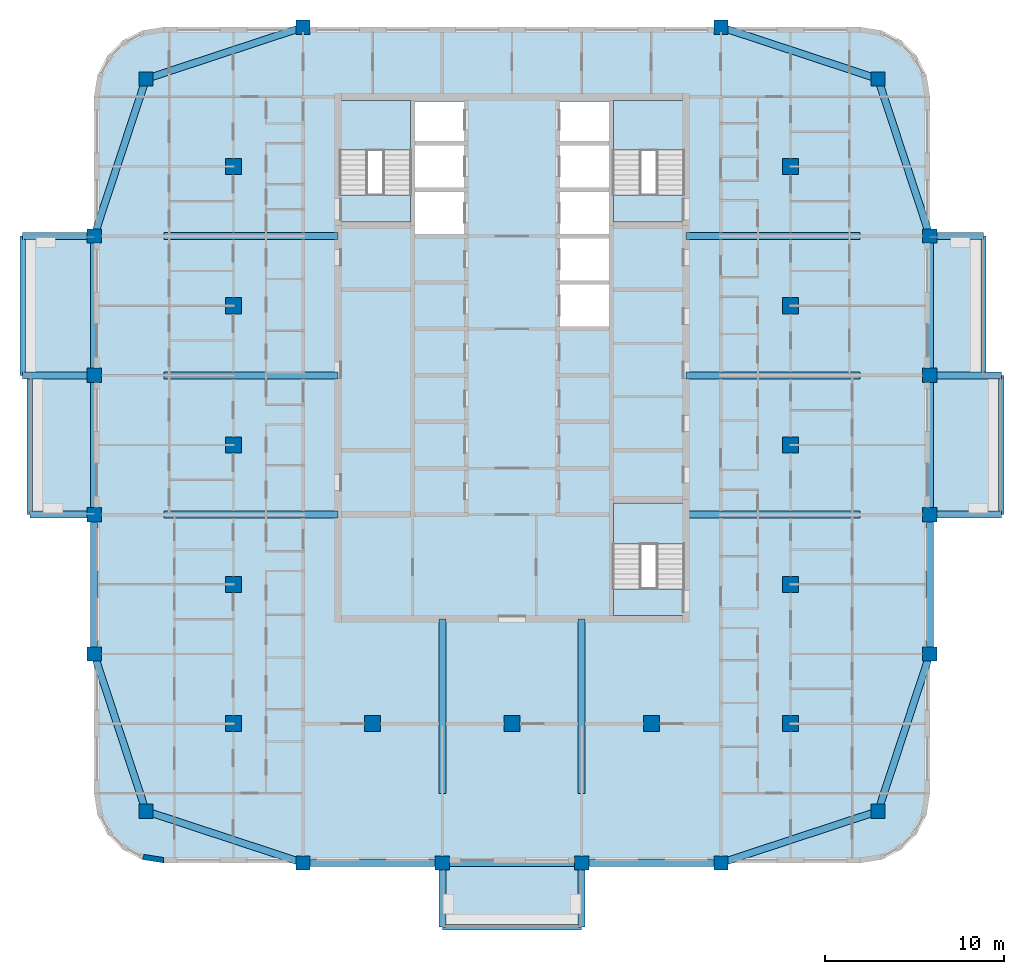
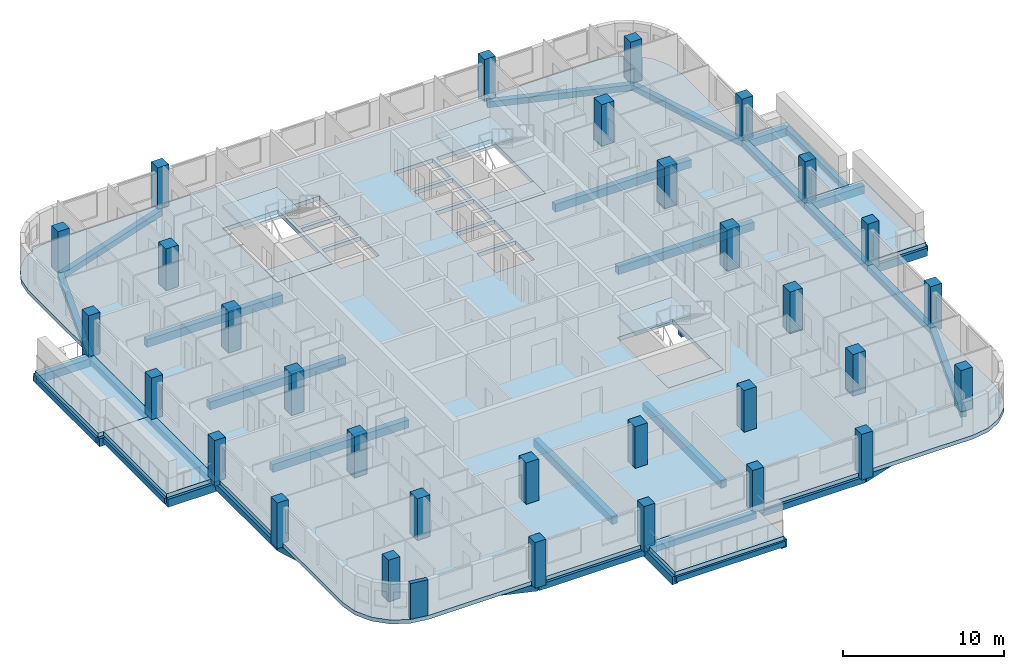
# One storey, part 1 of 15: 38 beams, 31 columns, 12 slabs, 1 wall, 3 elements without a shape of their own.
"""IFC4 building model written with IfcOpenShell, lengths in metres."""

from ifc_helpers import new_model, si_unit, direction, frame, frame_2d, origin, origin_2d, place, context, subcontext, project, spatial, polyline, rectangle, outline, extrude, material, layer, layer_set, material_profile, profile_set, type_object, element, aggregate, save


model = new_model("IFC4")

# Units and contexts
model_context = context("Model", 3, precision=1e-05, world=origin(), true_north=direction((0.0, 1.0)))
body_context = subcontext(model_context, "Body", "Model", "MODEL_VIEW")
ifc_project = project(units=[si_unit("LENGTHUNIT", "METRE"), si_unit("AREAUNIT", "SQUARE_METRE"), si_unit("VOLUMEUNIT", "CUBIC_METRE"), si_unit("PLANEANGLEUNIT", "RADIAN"), si_unit("MASSUNIT", "GRAM", prefix="KILO")], contexts=[model_context])

# Site, building, storey
site_placement = place(None, origin())
site = spatial("IfcSite", under=ifc_project, at=site_placement, CompositionType="ELEMENT")
building_placement = place(site_placement, origin())
building = spatial("IfcBuilding", under=site, at=building_placement, Name="Ludao Terraces", CompositionType="ELEMENT")
storey_placement = place(building_placement, frame((0.0, 0.0, 197.300048828125)))
storey = spatial("IfcBuildingStorey", under=building, at=storey_placement, Name="L53", CompositionType="ELEMENT", Elevation=197.300048828125)

# Columns
ifc_material_1 = material(Name="Concrete C50", Category="concrete")
ifc_material_profile_1 = material_profile(ifc_material_1, rectangle(XDim=0.800048828125, YDim=0.800048828125, at=origin_2d()), Name="800 X 800")
ifc_profile_set_1 = profile_set([ifc_material_profile_1], Name="Concrete C50")
column_type_1 = type_object("IfcColumnType", Name="RC column 800x800 C50", PredefinedType="COLUMN", material=ifc_profile_set_1)
for number, where, z_axis, x_axis, name in (
    (1, (64.5, 44.5, -0.300048828125), (0.0, 0.0, 1.0), (1.0, 0.0, 0.0), "Column L53 C0029x0029"),
    (2, (105.5, 44.5, -0.300048828125), (0.0, 0.0, 1.0), (1.0, 0.0, 0.0), "Column L53 C0439x0029"),
    (3, (64.5, 85.5, -0.300048828125), (0.0, 0.0, 1.0), (1.0, 0.0, 0.0), "Column L53 C0029x0439"),
    (4, (105.5, 85.5, -0.300048828125), (0.0, 0.0, 1.0), (1.0, 0.0, 0.0), "Column L53 C0439x0439"),
    (5, (61.60009765625, 53.300048828125, -0.300048828125), (0.0, 0.0, 1.0), (1.0, 0.0, 0.0), "Column L53 F0000x0117"),
    (6, (108.39990234375, 53.300048828125, -0.300048828125), (0.0, 0.0, 1.0), (1.0, 0.0, 0.0), "Column L53 F0468x0117"),
    (7, (73.300048828125, 41.60009765625, -0.300048828125), (0.0, 0.0, 1.0), (1.0, 0.0, 0.0), "Column L53 F0117x0000"),
    (8, (73.300048828125, 88.39990234375, -0.300048828125), (0.0, 0.0, 1.0), (1.0, 0.0, 0.0), "Column L53 F0117x0468"),
    (9, (61.60009765625, 61.10009765625, -0.300048828125), (0.0, 0.0, 1.0), (1.0, 0.0, 0.0), "Column L53 F0000x0195"),
    (10, (108.39990234375, 61.10009765625, -0.300048828125), (0.0, 0.0, 1.0), (1.0, 0.0, 0.0), "Column L53 F0468x0195"),
    (11, (81.10009765625, 41.60009765625, -0.300048828125), (0.0, 0.0, 1.0), (1.0, 0.0, 0.0), "Column L53 F0195x0000"),
    (12, (61.60009765625, 68.89990234375, -0.300048828125), (0.0, 0.0, 1.0), (1.0, 0.0, 0.0), "Column L53 F0000x0273"),
    (13, (108.39990234375, 68.89990234375, -0.300048828125), (0.0, 0.0, 1.0), (1.0, 0.0, 0.0), "Column L53 F0468x0273"),
    (14, (88.89990234375, 41.60009765625, -0.300048828125), (0.0, 0.0, 1.0), (1.0, 0.0, 0.0), "Column L53 F0273x0000"),
    (15, (61.60009765625, 76.699951171875, -0.300048828125), (0.0, 0.0, 1.0), (1.0, 0.0, 0.0), "Column L53 F0000x0351"),
    (16, (108.39990234375, 76.699951171875, -0.300048828125), (0.0, 0.0, 1.0), (1.0, 0.0, 0.0), "Column L53 F0468x0351"),
    (17, (96.699951171875, 41.60009765625, -0.300048828125), (0.0, 0.0, 1.0), (1.0, 0.0, 0.0), "Column L53 F0351x0000"),
    (18, (96.699951171875, 88.39990234375, -0.300048828125), (0.0, 0.0, 1.0), (1.0, 0.0, 0.0), "Column L53 F0351x0468"),
):
    element("IfcColumn", number, at=place(storey_placement, frame(where, z_axis=z_axis, x_axis=x_axis)), inside=storey, type_object=column_type_1, Name=name, PredefinedType="COLUMN", context=body_context, shape_type="SweptSolid", body=[
        extrude(rectangle(XDim=0.800048828125, YDim=0.800048828125, at=origin_2d()), origin(), (0.0, 0.0, 1.0), 3.449951171875),
    ])
ifc_material_profile_2 = material_profile(ifc_material_1, rectangle(XDim=0.89990234375, YDim=0.89990234375, at=origin_2d()), Name="900 X 900")
ifc_profile_set_2 = profile_set([ifc_material_profile_2], Name="Concrete C50")
column_type_2 = type_object("IfcColumnType", Name="RC column 900x900 C50", PredefinedType="COLUMN", material=ifc_profile_set_2)
for number, where, z_axis, x_axis, name in (
    (19, (69.39990234375, 49.39990234375, -0.300048828125), (0.0, 0.0, 1.0), (1.0, 0.0, 0.0), "Column L53 S0078x0078"),
    (20, (69.39990234375, 57.199951171875, -0.300048828125), (0.0, 0.0, 1.0), (1.0, 0.0, 0.0), "Column L53 S0078x0156"),
    (21, (69.39990234375, 65.0, -0.300048828125), (0.0, 0.0, 1.0), (1.0, 0.0, 0.0), "Column L53 S0078x0234"),
    (22, (69.39990234375, 72.800048828125, -0.300048828125), (0.0, 0.0, 1.0), (1.0, 0.0, 0.0), "Column L53 S0078x0312"),
    (23, (69.39990234375, 80.60009765625, -0.300048828125), (0.0, 0.0, 1.0), (1.0, 0.0, 0.0), "Column L53 S0078x0390"),
    (24, (77.199951171875, 49.39990234375, -0.300048828125), (0.0, 0.0, 1.0), (1.0, 0.0, 0.0), "Column L53 S0156x0078"),
    (25, (85.0, 49.39990234375, -0.300048828125), (0.0, 0.0, 1.0), (1.0, 0.0, 0.0), "Column L53 S0234x0078"),
    (26, (92.800048828125, 49.39990234375, -0.300048828125), (0.0, 0.0, 1.0), (1.0, 0.0, 0.0), "Column L53 S0312x0078"),
    (27, (100.60009765625, 49.39990234375, -0.300048828125), (0.0, 0.0, 1.0), (1.0, 0.0, 0.0), "Column L53 S0390x0078"),
    (28, (100.60009765625, 57.199951171875, -0.300048828125), (0.0, 0.0, 1.0), (1.0, 0.0, 0.0), "Column L53 S0390x0156"),
    (29, (100.60009765625, 65.0, -0.300048828125), (0.0, 0.0, 1.0), (1.0, 0.0, 0.0), "Column L53 S0390x0234"),
    (30, (100.60009765625, 72.800048828125, -0.300048828125), (0.0, 0.0, 1.0), (1.0, 0.0, 0.0), "Column L53 S0390x0312"),
    (31, (100.60009765625, 80.60009765625, -0.300048828125), (0.0, 0.0, 1.0), (1.0, 0.0, 0.0), "Column L53 S0390x0390"),
):
    element("IfcColumn", number, at=place(storey_placement, frame(where, z_axis=z_axis, x_axis=x_axis)), inside=storey, type_object=column_type_2, Name=name, PredefinedType="COLUMN", context=body_context, shape_type="SweptSolid", body=[
        extrude(rectangle(XDim=0.89990234375, YDim=0.89990234375, at=origin_2d()), origin(), (0.0, 0.0, 1.0), 3.449951171875),
    ])

# Beams
ifc_material_2 = material(Name="Concrete C40", Category="concrete")
ifc_material_profile_3 = material_profile(ifc_material_2, rectangle(XDim=0.300048828125, YDim=0.39990234375, at=origin_2d()), Name="300 X 400")
ifc_profile_set_3 = profile_set([ifc_material_profile_3], Name="Concrete C40")
beam_type_1 = type_object("IfcBeamType", Name="RC beam 300x400 C40", PredefinedType="BEAM", material=ifc_profile_set_3)
for number, where, z_axis, x_axis, name in (
    (32, (81.10009765625, 38.0, -0.5), (1.0, 0.0, 0.0), (0.0, 1.0, 0.0), "Balcony edge beam L53 S1"),
    (33, (112.39990234375, 61.10009765625, -0.5), (0.0, 1.0, 0.0), (-1.0, 0.0, 0.0), "Balcony edge beam L53 E1"),
):
    element("IfcBeam", number, at=place(storey_placement, frame(where, z_axis=z_axis, x_axis=x_axis)), inside=storey, type_object=beam_type_1, Name=name, PredefinedType="BEAM", context=body_context, shape_type="SweptSolid", body=[
        extrude(rectangle(XDim=0.300048828125, YDim=0.39990234375, at=origin_2d()), origin(), (0.0, 0.0, 1.0), 7.7998046875),
    ])
beam_1_placement = place(storey_placement, frame((111.39990234375, 68.89990234375, -0.5), z_axis=(0.0, 1.0, 0.0), x_axis=(-1.0, 0.0, 0.0)))
element("IfcBeam", 34, at=beam_1_placement, inside=storey, type_object=beam_type_1, Name="Balcony edge beam L53 E2", PredefinedType="BEAM", context=body_context, shape_type="SweptSolid", body=[
    extrude(rectangle(XDim=0.300048828125, YDim=0.39990234375, at=origin_2d()), origin(), (0.0, 0.0, 1.0), 7.800048828125),
])
beam_2_placement = place(storey_placement, frame((58.0, 61.10009765625, -0.5), z_axis=(0.0, 1.0, 0.0), x_axis=(-1.0, 0.0, 0.0)))
element("IfcBeam", 35, at=beam_2_placement, inside=storey, type_object=beam_type_1, Name="Balcony edge beam L53 W1", PredefinedType="BEAM", context=body_context, shape_type="SweptSolid", body=[
    extrude(rectangle(XDim=0.300048828125, YDim=0.39990234375, at=origin_2d()), origin(), (0.0, 0.0, 1.0), 7.7998046875),
])
beam_3_placement = place(storey_placement, frame((57.60009765625, 68.89990234375, -0.5), z_axis=(0.0, 1.0, 0.0), x_axis=(-1.0, 0.0, 0.0)))
element("IfcBeam", 36, at=beam_3_placement, inside=storey, type_object=beam_type_1, Name="Balcony edge beam L53 W2", PredefinedType="BEAM", context=body_context, shape_type="SweptSolid", body=[
    extrude(rectangle(XDim=0.300048828125, YDim=0.39990234375, at=origin_2d()), origin(), (0.0, 0.0, 1.0), 7.800048828125),
])
ifc_material_profile_4 = material_profile(ifc_material_2, rectangle(XDim=0.39990234375, YDim=0.449951171875, at=origin_2d()), Name="400 X 450")
ifc_profile_set_4 = profile_set([ifc_material_profile_4], Name="Concrete C40")
beam_type_2 = type_object("IfcBeamType", Name="RC beam 400x450 C40", PredefinedType="BEAM", material=ifc_profile_set_4)
beam_4_placement = place(storey_placement, frame((64.5, 44.5, -0.525146484375), z_axis=(0.949760691408, -0.312977042379, 0.0), x_axis=(0.312977042379, 0.949760691408, 0.0)))
element("IfcBeam", 37, at=beam_4_placement, inside=storey, type_object=beam_type_2, Name="Spandrel beam L53 S1", PredefinedType="BEAM", context=body_context, shape_type="SweptSolid", body=[
    extrude(rectangle(XDim=0.39990234375, YDim=0.449951171875, at=origin_2d()), origin(), (0.0, 0.0, 1.0), 9.265625),
])
beam_5_placement = place(storey_placement, frame((73.300048828125, 41.60009765625, -0.525146484375), z_axis=(1.0, 0.0, 0.0), x_axis=(0.0, 1.0, 0.0)))
element("IfcBeam", 38, at=beam_5_placement, inside=storey, type_object=beam_type_2, Name="Spandrel beam L53 S2", PredefinedType="BEAM", context=body_context, shape_type="SweptSolid", body=[
    extrude(rectangle(XDim=0.39990234375, YDim=0.449951171875, at=origin_2d()), origin(), (0.0, 0.0, 1.0), 7.800048828125),
])
beam_6_placement = place(storey_placement, frame((81.10009765625, 41.60009765625, -0.525146484375), z_axis=(1.0, 0.0, 0.0), x_axis=(0.0, 1.0, 0.0)))
element("IfcBeam", 39, at=beam_6_placement, inside=storey, type_object=beam_type_2, Name="Spandrel beam L53 S3", PredefinedType="BEAM", context=body_context, shape_type="SweptSolid", body=[
    extrude(rectangle(XDim=0.39990234375, YDim=0.449951171875, at=origin_2d()), origin(), (0.0, 0.0, 1.0), 7.7998046875),
])
beam_7_placement = place(storey_placement, frame((88.89990234375, 41.60009765625, -0.525146484375), z_axis=(1.0, 0.0, 0.0), x_axis=(0.0, 1.0, 0.0)))
element("IfcBeam", 40, at=beam_7_placement, inside=storey, type_object=beam_type_2, Name="Spandrel beam L53 S4", PredefinedType="BEAM", context=body_context, shape_type="SweptSolid", body=[
    extrude(rectangle(XDim=0.39990234375, YDim=0.449951171875, at=origin_2d()), origin(), (0.0, 0.0, 1.0), 7.800048828125),
])
for number, where, z_axis, x_axis, name in (
    (41, (96.699951171875, 41.60009765625, -0.525146484375), (0.949760691408, 0.312977042379, 0.0), (-0.312977042379, 0.949760691408, 0.0), "Spandrel beam L53 S5"),
    (42, (64.5, 85.5, -0.525146484375), (0.949760691408, 0.312977042379, 0.0), (-0.312977042379, 0.949760691408, 0.0), "Spandrel beam L53 N6"),
    (43, (96.699951171875, 88.39990234375, -0.525146484375), (0.949760691408, -0.312977042379, 0.0), (0.312977042379, 0.949760691408, 0.0), "Spandrel beam L53 N7"),
    (44, (64.5, 44.5, -0.525146484375), (-0.312977042379, 0.949760691408, 0.0), (-0.949760691408, -0.312977042379, 0.0), "Spandrel beam L53 W8"),
):
    element("IfcBeam", number, at=place(storey_placement, frame(where, z_axis=z_axis, x_axis=x_axis)), inside=storey, type_object=beam_type_2, Name=name, PredefinedType="BEAM", context=body_context, shape_type="SweptSolid", body=[
        extrude(rectangle(XDim=0.39990234375, YDim=0.449951171875, at=origin_2d()), origin(), (0.0, 0.0, 1.0), 9.265625),
    ])
beam_8_placement = place(storey_placement, frame((61.60009765625, 53.300048828125, -0.525146484375), z_axis=(0.0, 1.0, 0.0), x_axis=(-1.0, 0.0, 0.0)))
element("IfcBeam", 45, at=beam_8_placement, inside=storey, type_object=beam_type_2, Name="Spandrel beam L53 W9", PredefinedType="BEAM", context=body_context, shape_type="SweptSolid", body=[
    extrude(rectangle(XDim=0.39990234375, YDim=0.449951171875, at=origin_2d()), origin(), (0.0, 0.0, 1.0), 7.800048828125),
])
beam_9_placement = place(storey_placement, frame((61.60009765625, 61.10009765625, -0.525146484375), z_axis=(0.0, 1.0, 0.0), x_axis=(-1.0, 0.0, 0.0)))
element("IfcBeam", 46, at=beam_9_placement, inside=storey, type_object=beam_type_2, Name="Spandrel beam L53 W10", PredefinedType="BEAM", context=body_context, shape_type="SweptSolid", body=[
    extrude(rectangle(XDim=0.39990234375, YDim=0.449951171875, at=origin_2d()), origin(), (0.0, 0.0, 1.0), 7.7998046875),
])
beam_10_placement = place(storey_placement, frame((61.60009765625, 68.89990234375, -0.525146484375), z_axis=(0.0, 1.0, 0.0), x_axis=(-1.0, 0.0, 0.0)))
element("IfcBeam", 47, at=beam_10_placement, inside=storey, type_object=beam_type_2, Name="Spandrel beam L53 W11", PredefinedType="BEAM", context=body_context, shape_type="SweptSolid", body=[
    extrude(rectangle(XDim=0.39990234375, YDim=0.449951171875, at=origin_2d()), origin(), (0.0, 0.0, 1.0), 7.800048828125),
])
for number, where, z_axis, x_axis, name in (
    (48, (61.60009765625, 76.699951171875, -0.525146484375), (0.312977042379, 0.949760691408, 0.0), (-0.949760691408, 0.312977042379, 0.0), "Spandrel beam L53 W12"),
    (49, (105.5, 44.5, -0.525146484375), (0.312977042379, 0.949760691408, 0.0), (-0.949760691408, 0.312977042379, 0.0), "Spandrel beam L53 E13"),
):
    element("IfcBeam", number, at=place(storey_placement, frame(where, z_axis=z_axis, x_axis=x_axis)), inside=storey, type_object=beam_type_2, Name=name, PredefinedType="BEAM", context=body_context, shape_type="SweptSolid", body=[
        extrude(rectangle(XDim=0.39990234375, YDim=0.449951171875, at=origin_2d()), origin(), (0.0, 0.0, 1.0), 9.265625),
    ])
beam_11_placement = place(storey_placement, frame((108.39990234375, 53.300048828125, -0.525146484375), z_axis=(0.0, 1.0, 0.0), x_axis=(-1.0, 0.0, 0.0)))
element("IfcBeam", 50, at=beam_11_placement, inside=storey, type_object=beam_type_2, Name="Spandrel beam L53 E14", PredefinedType="BEAM", context=body_context, shape_type="SweptSolid", body=[
    extrude(rectangle(XDim=0.39990234375, YDim=0.449951171875, at=origin_2d()), origin(), (0.0, 0.0, 1.0), 7.800048828125),
])
beam_12_placement = place(storey_placement, frame((108.39990234375, 61.10009765625, -0.525146484375), z_axis=(0.0, 1.0, 0.0), x_axis=(-1.0, 0.0, 0.0)))
element("IfcBeam", 51, at=beam_12_placement, inside=storey, type_object=beam_type_2, Name="Spandrel beam L53 E15", PredefinedType="BEAM", context=body_context, shape_type="SweptSolid", body=[
    extrude(rectangle(XDim=0.39990234375, YDim=0.449951171875, at=origin_2d()), origin(), (0.0, 0.0, 1.0), 7.7998046875),
])
beam_13_placement = place(storey_placement, frame((108.39990234375, 68.89990234375, -0.525146484375), z_axis=(0.0, 1.0, 0.0), x_axis=(-1.0, 0.0, 0.0)))
element("IfcBeam", 52, at=beam_13_placement, inside=storey, type_object=beam_type_2, Name="Spandrel beam L53 E16", PredefinedType="BEAM", context=body_context, shape_type="SweptSolid", body=[
    extrude(rectangle(XDim=0.39990234375, YDim=0.449951171875, at=origin_2d()), origin(), (0.0, 0.0, 1.0), 7.800048828125),
])
beam_14_placement = place(storey_placement, frame((108.39990234375, 76.699951171875, -0.525146484375), z_axis=(-0.312977042379, 0.949760691408, 0.0), x_axis=(-0.949760691408, -0.312977042379, 0.0)))
element("IfcBeam", 53, at=beam_14_placement, inside=storey, type_object=beam_type_2, Name="Spandrel beam L53 E17", PredefinedType="BEAM", context=body_context, shape_type="SweptSolid", body=[
    extrude(rectangle(XDim=0.39990234375, YDim=0.449951171875, at=origin_2d()), origin(), (0.0, 0.0, 1.0), 9.265625),
])
ifc_material_profile_5 = material_profile(ifc_material_2, rectangle(XDim=0.39990234375, YDim=0.60009765625, at=origin_2d()), Name="400 X 600")
ifc_profile_set_5 = profile_set([ifc_material_profile_5], Name="Concrete C40")
beam_type_3 = type_object("IfcBeamType", Name="RC beam 400x600 C40", PredefinedType="BEAM", material=ifc_profile_set_5)
beam_15_placement = place(storey_placement, frame((94.75, 61.10009765625, -0.60009765625), z_axis=(1.0, 0.0, 0.0), x_axis=(0.0, 1.0, 0.0)))
element("IfcBeam", 54, at=beam_15_placement, inside=storey, type_object=beam_type_3, Name="Balcony beam L53 E611", PredefinedType="BEAM", context=body_context, shape_type="SweptSolid", body=[
    extrude(rectangle(XDim=0.39990234375, YDim=0.60009765625, at=origin_2d()), origin(), (0.0, 0.0, 1.0), 9.75),
])
beam_16_placement = place(storey_placement, frame((108.39990234375, 61.10009765625, -0.60009765625), z_axis=(1.0, 0.0, 0.0), x_axis=(0.0, 1.0, 0.0)))
element("IfcBeam", 55, at=beam_16_placement, inside=storey, type_object=beam_type_3, Name="Balcony beam L53 E611", PredefinedType="BEAM", context=body_context, shape_type="SweptSolid", body=[
    extrude(rectangle(XDim=0.39990234375, YDim=0.60009765625, at=origin_2d()), origin(), (0.0, 0.0, 1.0), 4.0),
])
beam_17_placement = place(storey_placement, frame((94.75, 68.89990234375, -0.60009765625), z_axis=(1.0, 0.0, 0.0), x_axis=(0.0, 1.0, 0.0)))
element("IfcBeam", 56, at=beam_17_placement, inside=storey, type_object=beam_type_3, Name="Balcony beam L53 E689", PredefinedType="BEAM", context=body_context, shape_type="SweptSolid", body=[
    extrude(rectangle(XDim=0.39990234375, YDim=0.60009765625, at=origin_2d()), origin(), (0.0, 0.0, 1.0), 9.75),
])
beam_18_placement = place(storey_placement, frame((108.39990234375, 68.89990234375, -0.60009765625), z_axis=(1.0, 0.0, 0.0), x_axis=(0.0, 1.0, 0.0)))
element("IfcBeam", 57, at=beam_18_placement, inside=storey, type_object=beam_type_3, Name="Balcony beam L53 E689", PredefinedType="BEAM", context=body_context, shape_type="SweptSolid", body=[
    extrude(rectangle(XDim=0.39990234375, YDim=0.60009765625, at=origin_2d()), origin(), (0.0, 0.0, 1.0), 4.0),
])
beam_19_placement = place(storey_placement, frame((94.75, 76.699951171875, -0.60009765625), z_axis=(1.0, 0.0, 0.0), x_axis=(0.0, 1.0, 0.0)))
element("IfcBeam", 58, at=beam_19_placement, inside=storey, type_object=beam_type_3, Name="Balcony beam L53 E767", PredefinedType="BEAM", context=body_context, shape_type="SweptSolid", body=[
    extrude(rectangle(XDim=0.39990234375, YDim=0.60009765625, at=origin_2d()), origin(), (0.0, 0.0, 1.0), 9.75),
])
beam_20_placement = place(storey_placement, frame((108.39990234375, 76.699951171875, -0.60009765625), z_axis=(1.0, 0.0, 0.0), x_axis=(0.0, 1.0, 0.0)))
element("IfcBeam", 59, at=beam_20_placement, inside=storey, type_object=beam_type_3, Name="Balcony beam L53 E767", PredefinedType="BEAM", context=body_context, shape_type="SweptSolid", body=[
    extrude(rectangle(XDim=0.39990234375, YDim=0.60009765625, at=origin_2d()), origin(), (0.0, 0.0, 1.0), 3.0),
])
beam_21_placement = place(storey_placement, frame((81.10009765625, 55.25, -0.60009765625), z_axis=(0.0, -1.0, 0.0), x_axis=(1.0, 0.0, 0.0)))
element("IfcBeam", 60, at=beam_21_placement, inside=storey, type_object=beam_type_3, Name="Balcony beam L53 S811", PredefinedType="BEAM", context=body_context, shape_type="SweptSolid", body=[
    extrude(rectangle(XDim=0.39990234375, YDim=0.60009765625, at=origin_2d()), origin(), (0.0, 0.0, 1.0), 9.75),
])
beam_22_placement = place(storey_placement, frame((81.10009765625, 41.60009765625, -0.60009765625), z_axis=(0.0, -1.0, 0.0), x_axis=(1.0, 0.0, 0.0)))
element("IfcBeam", 61, at=beam_22_placement, inside=storey, type_object=beam_type_3, Name="Balcony beam L53 S811", PredefinedType="BEAM", context=body_context, shape_type="SweptSolid", body=[
    extrude(rectangle(XDim=0.39990234375, YDim=0.60009765625, at=origin_2d()), origin(), (0.0, 0.0, 1.0), 3.60009765625),
])
beam_23_placement = place(storey_placement, frame((88.89990234375, 55.25, -0.60009765625), z_axis=(0.0, -1.0, 0.0), x_axis=(1.0, 0.0, 0.0)))
element("IfcBeam", 62, at=beam_23_placement, inside=storey, type_object=beam_type_3, Name="Balcony beam L53 S889", PredefinedType="BEAM", context=body_context, shape_type="SweptSolid", body=[
    extrude(rectangle(XDim=0.39990234375, YDim=0.60009765625, at=origin_2d()), origin(), (0.0, 0.0, 1.0), 9.75),
])
beam_24_placement = place(storey_placement, frame((88.89990234375, 41.60009765625, -0.60009765625), z_axis=(0.0, -1.0, 0.0), x_axis=(1.0, 0.0, 0.0)))
element("IfcBeam", 63, at=beam_24_placement, inside=storey, type_object=beam_type_3, Name="Balcony beam L53 S889", PredefinedType="BEAM", context=body_context, shape_type="SweptSolid", body=[
    extrude(rectangle(XDim=0.39990234375, YDim=0.60009765625, at=origin_2d()), origin(), (0.0, 0.0, 1.0), 3.60009765625),
])
beam_25_placement = place(storey_placement, frame((75.25, 61.10009765625, -0.60009765625), z_axis=(-1.0, 0.0, 0.0), x_axis=(0.0, -1.0, 0.0)))
element("IfcBeam", 64, at=beam_25_placement, inside=storey, type_object=beam_type_3, Name="Balcony beam L53 W611", PredefinedType="BEAM", context=body_context, shape_type="SweptSolid", body=[
    extrude(rectangle(XDim=0.39990234375, YDim=0.60009765625, at=origin_2d()), origin(), (0.0, 0.0, 1.0), 9.75),
])
beam_26_placement = place(storey_placement, frame((61.60009765625, 61.10009765625, -0.60009765625), z_axis=(-1.0, 0.0, 0.0), x_axis=(0.0, -1.0, 0.0)))
element("IfcBeam", 65, at=beam_26_placement, inside=storey, type_object=beam_type_3, Name="Balcony beam L53 W611", PredefinedType="BEAM", context=body_context, shape_type="SweptSolid", body=[
    extrude(rectangle(XDim=0.39990234375, YDim=0.60009765625, at=origin_2d()), origin(), (0.0, 0.0, 1.0), 3.60009765625),
])
beam_27_placement = place(storey_placement, frame((75.25, 68.89990234375, -0.60009765625), z_axis=(-1.0, 0.0, 0.0), x_axis=(0.0, -1.0, 0.0)))
element("IfcBeam", 66, at=beam_27_placement, inside=storey, type_object=beam_type_3, Name="Balcony beam L53 W689", PredefinedType="BEAM", context=body_context, shape_type="SweptSolid", body=[
    extrude(rectangle(XDim=0.39990234375, YDim=0.60009765625, at=origin_2d()), origin(), (0.0, 0.0, 1.0), 9.75),
])
beam_28_placement = place(storey_placement, frame((61.60009765625, 68.89990234375, -0.60009765625), z_axis=(-1.0, 0.0, 0.0), x_axis=(0.0, -1.0, 0.0)))
element("IfcBeam", 67, at=beam_28_placement, inside=storey, type_object=beam_type_3, Name="Balcony beam L53 W689", PredefinedType="BEAM", context=body_context, shape_type="SweptSolid", body=[
    extrude(rectangle(XDim=0.39990234375, YDim=0.60009765625, at=origin_2d()), origin(), (0.0, 0.0, 1.0), 4.0),
])
beam_29_placement = place(storey_placement, frame((75.25, 76.699951171875, -0.60009765625), z_axis=(-1.0, 0.0, 0.0), x_axis=(0.0, -1.0, 0.0)))
element("IfcBeam", 68, at=beam_29_placement, inside=storey, type_object=beam_type_3, Name="Balcony beam L53 W767", PredefinedType="BEAM", context=body_context, shape_type="SweptSolid", body=[
    extrude(rectangle(XDim=0.39990234375, YDim=0.60009765625, at=origin_2d()), origin(), (0.0, 0.0, 1.0), 9.75),
])
beam_30_placement = place(storey_placement, frame((61.60009765625, 76.699951171875, -0.60009765625), z_axis=(-1.0, 0.0, 0.0), x_axis=(0.0, -1.0, 0.0)))
element("IfcBeam", 69, at=beam_30_placement, inside=storey, type_object=beam_type_3, Name="Balcony beam L53 W767", PredefinedType="BEAM", context=body_context, shape_type="SweptSolid", body=[
    extrude(rectangle(XDim=0.39990234375, YDim=0.60009765625, at=origin_2d()), origin(), (0.0, 0.0, 1.0), 4.0),
])

# Slabs
ifc_layer_1 = layer(ifc_material_2, 0.300048828125)
ifc_layer_set_1 = layer_set([ifc_layer_1], Name="Balcony slab 300 C40")
slab_type_1 = type_object("IfcSlabType", Name="Balcony slab 300 C40", PredefinedType="USERDEFINED", material=ifc_layer_set_1)
slab_1_placement = place(storey_placement, frame((0.0, 0.0, -0.300048828125)))
element("IfcSlab", 70, at=slab_1_placement, inside=storey, type_object=slab_type_1, Name="Balcony L53 S1", ObjectType="BALCONY", PredefinedType="USERDEFINED", context=body_context, shape_type="SweptSolid", body=[
    extrude(outline(polyline([(81.10009765625, 38.0), (88.89990234375, 38.0), (88.89990234375, 41.60009765625), (81.10009765625, 41.60009765625), (81.10009765625, 38.0)])), origin(), (0.0, 0.0, 1.0), 0.300048828125),
])
slab_2_placement = place(storey_placement, frame((0.0, 0.0, -0.300048828125)))
element("IfcSlab", 71, at=slab_2_placement, inside=storey, type_object=slab_type_1, Name="Balcony L53 E1", ObjectType="BALCONY", PredefinedType="USERDEFINED", context=body_context, shape_type="SweptSolid", body=[
    extrude(outline(polyline([(108.39990234375, 61.10009765625), (112.39990234375, 61.10009765625), (112.39990234375, 68.89990234375), (108.39990234375, 68.89990234375), (108.39990234375, 61.10009765625)])), origin(), (0.0, 0.0, 1.0), 0.300048828125),
])
slab_3_placement = place(storey_placement, frame((0.0, 0.0, -0.300048828125)))
element("IfcSlab", 72, at=slab_3_placement, inside=storey, type_object=slab_type_1, Name="Balcony L53 E2", ObjectType="BALCONY", PredefinedType="USERDEFINED", context=body_context, shape_type="SweptSolid", body=[
    extrude(outline(polyline([(108.39990234375, 68.89990234375), (111.39990234375, 68.89990234375), (111.39990234375, 76.699951171875), (108.39990234375, 76.699951171875), (108.39990234375, 68.89990234375)])), origin(), (0.0, 0.0, 1.0), 0.300048828125),
])
slab_4_placement = place(storey_placement, frame((0.0, 0.0, -0.300048828125)))
element("IfcSlab", 73, at=slab_4_placement, inside=storey, type_object=slab_type_1, Name="Balcony L53 W1", ObjectType="BALCONY", PredefinedType="USERDEFINED", context=body_context, shape_type="SweptSolid", body=[
    extrude(outline(polyline([(58.0, 61.10009765625), (61.60009765625, 61.10009765625), (61.60009765625, 68.89990234375), (58.0, 68.89990234375), (58.0, 61.10009765625)])), origin(), (0.0, 0.0, 1.0), 0.300048828125),
])
slab_5_placement = place(storey_placement, frame((0.0, 0.0, -0.300048828125)))
element("IfcSlab", 74, at=slab_5_placement, inside=storey, type_object=slab_type_1, Name="Balcony L53 W2", ObjectType="BALCONY", PredefinedType="USERDEFINED", context=body_context, shape_type="SweptSolid", body=[
    extrude(outline(polyline([(57.60009765625, 68.89990234375), (61.60009765625, 68.89990234375), (61.60009765625, 76.699951171875), (57.60009765625, 76.699951171875), (57.60009765625, 68.89990234375)])), origin(), (0.0, 0.0, 1.0), 0.300048828125),
])
ifc_layer_2 = layer(ifc_material_2, 0.300048828125)
ifc_layer_set_2 = layer_set([ifc_layer_2], Name="Floor slab 300 C40")
slab_type_2 = type_object("IfcSlabType", Name="Floor slab 300 C40", PredefinedType="FLOOR", material=ifc_layer_set_2)
slab_6_placement = place(storey_placement, frame((0.0, 0.0, -0.300048828125)))
element("IfcSlab", 75, at=slab_6_placement, inside=storey, type_object=slab_type_2, Name="Slab L53", PredefinedType="FLOOR", context=body_context, shape_type="SweptSolid", body=[
    extrude(outline(polyline([(104.5, 41.60009765625), (105.705078125, 41.790771484375), (106.79248046875, 42.3447265625), (107.6552734375, 43.20751953125), (108.209228515625, 44.294921875), (108.39990234375, 45.5), (108.39990234375, 84.5), (108.209228515625, 85.705078125), (107.6552734375, 86.79248046875), (106.79248046875, 87.6552734375), (105.705078125, 88.209228515625), (104.5, 88.39990234375), (65.5, 88.39990234375), (64.294921875, 88.209228515625), (63.20751953125, 87.6552734375), (62.3447265625, 86.79248046875), (61.790771484375, 85.705078125), (61.60009765625, 84.5), (61.60009765625, 45.5), (61.790771484375, 44.294921875), (62.3447265625, 43.20751953125), (63.20751953125, 42.3447265625), (64.294921875, 41.790771484375), (65.5, 41.60009765625), (104.5, 41.60009765625)]), holes=[polyline([(79.574951171875, 76.824951171875), (82.324951171875, 76.824951171875), (82.324951171875, 79.175048828125), (79.574951171875, 79.175048828125), (79.574951171875, 76.824951171875)]), polyline([(79.574951171875, 79.425048828125), (82.324951171875, 79.425048828125), (82.324951171875, 81.77490234375), (79.574951171875, 81.77490234375), (79.574951171875, 79.425048828125)]), polyline([(79.574951171875, 82.02490234375), (82.324951171875, 82.02490234375), (82.324951171875, 84.239990234375), (79.574951171875, 84.239990234375), (79.574951171875, 82.02490234375)]), polyline([(87.675048828125, 71.625), (90.425048828125, 71.625), (90.425048828125, 73.97509765625), (87.675048828125, 73.97509765625), (87.675048828125, 71.625)]), polyline([(87.675048828125, 74.22509765625), (90.425048828125, 74.22509765625), (90.425048828125, 76.574951171875), (87.675048828125, 76.574951171875), (87.675048828125, 74.22509765625)]), polyline([(87.675048828125, 76.824951171875), (90.425048828125, 76.824951171875), (90.425048828125, 79.175048828125), (87.675048828125, 79.175048828125), (87.675048828125, 76.824951171875)]), polyline([(87.675048828125, 79.425048828125), (90.425048828125, 79.425048828125), (90.425048828125, 81.77490234375), (87.675048828125, 81.77490234375), (87.675048828125, 79.425048828125)]), polyline([(87.675048828125, 82.02490234375), (90.425048828125, 82.02490234375), (90.425048828125, 84.239990234375), (87.675048828125, 84.239990234375), (87.675048828125, 82.02490234375)]), polyline([(75.375, 77.5), (79.324951171875, 77.5), (79.324951171875, 84.239990234375), (75.375, 84.239990234375), (75.375, 77.5)]), polyline([(90.675048828125, 77.5), (94.625, 77.5), (94.625, 84.239990234375), (90.675048828125, 84.239990234375), (90.675048828125, 77.5)]), polyline([(90.675048828125, 55.449951171875), (94.625, 55.449951171875), (94.625, 61.75), (90.675048828125, 61.75), (90.675048828125, 55.449951171875)])]), origin(), (0.0, 0.0, 1.0), 0.300048828125),
])

# Stair, slabs
stair_type = type_object("IfcStairType", Name="INT Stair", PredefinedType="HALF_TURN_STAIR", material=ifc_material_2)
stair_1_placement = place(storey_placement, origin())
stair_1 = element("IfcStair", 76, at=stair_1_placement, inside=storey, type_object=stair_type, Name="EXIT STAIR 1", PredefinedType="HALF_TURN_STAIR")
ifc_layer_3 = layer(ifc_material_2, 0.199951171875)
ifc_layer_set_3 = layer_set([ifc_layer_3], Name="INT Stair landing 200")
slab_type_3 = type_object("IfcSlabType", Name="INT Stair landing 200", PredefinedType="LANDING", material=ifc_layer_set_3)
slab_7_placement = place(storey_placement, frame((0.0, 0.0, 1.5)))
slab_7 = element("IfcSlab", 77, at=slab_7_placement, type_object=slab_type_3, Name="ST1 landing 1", PredefinedType="LANDING", context=body_context, shape_type="SweptSolid", body=[
    extrude(outline(polyline([(75.375, 81.52001953125), (79.324951171875, 81.52001953125), (79.324951171875, 84.300048828125), (75.375, 84.300048828125), (75.375, 81.52001953125)])), origin(), (0.0, 0.0, 1.0), 0.199951171875),
])
slab_8_placement = place(storey_placement, frame((0.0, 0.0, -0.199951171875)))
slab_8 = element("IfcSlab", 78, at=slab_8_placement, type_object=slab_type_3, Name="ST1 landing 2", PredefinedType="LANDING", context=body_context, shape_type="SweptSolid", body=[
    extrude(outline(polyline([(75.375, 77.5), (79.324951171875, 77.5), (79.324951171875, 79.0), (75.375, 79.0), (75.375, 77.5)])), origin(), (0.0, 0.0, 1.0), 0.199951171875),
])
aggregate(stair_1, [slab_7, slab_8])

stair_2_placement = place(storey_placement, origin())
stair_2 = element("IfcStair", 79, at=stair_2_placement, inside=storey, type_object=stair_type, Name="EXIT STAIR 2", PredefinedType="HALF_TURN_STAIR")
slab_9_placement = place(storey_placement, frame((0.0, 0.0, 1.5)))
slab_9 = element("IfcSlab", 80, at=slab_9_placement, type_object=slab_type_3, Name="ST2 landing 1", PredefinedType="LANDING", context=body_context, shape_type="SweptSolid", body=[
    extrude(outline(polyline([(90.675048828125, 81.52001953125), (94.625, 81.52001953125), (94.625, 84.300048828125), (90.675048828125, 84.300048828125), (90.675048828125, 81.52001953125)])), origin(), (0.0, 0.0, 1.0), 0.199951171875),
])
slab_10_placement = place(storey_placement, frame((0.0, 0.0, -0.199951171875)))
slab_10 = element("IfcSlab", 81, at=slab_10_placement, type_object=slab_type_3, Name="ST2 landing 2", PredefinedType="LANDING", context=body_context, shape_type="SweptSolid", body=[
    extrude(outline(polyline([(90.675048828125, 77.5), (94.625, 77.5), (94.625, 79.0), (90.675048828125, 79.0), (90.675048828125, 77.5)])), origin(), (0.0, 0.0, 1.0), 0.199951171875),
])
aggregate(stair_2, [slab_9, slab_10])

stair_3_placement = place(storey_placement, origin())
stair_3 = element("IfcStair", 82, at=stair_3_placement, inside=storey, type_object=stair_type, Name="EXIT STAIR 3", PredefinedType="HALF_TURN_STAIR")
slab_11_placement = place(storey_placement, frame((0.0, 0.0, 1.5)))
slab_11 = element("IfcSlab", 83, at=slab_11_placement, type_object=slab_type_3, Name="ST3 landing 1", PredefinedType="LANDING", context=body_context, shape_type="SweptSolid", body=[
    extrude(outline(polyline([(90.675048828125, 59.469970703125), (94.625, 59.469970703125), (94.625, 61.75), (90.675048828125, 61.75), (90.675048828125, 59.469970703125)])), origin(), (0.0, 0.0, 1.0), 0.199951171875),
])
slab_12_placement = place(storey_placement, frame((0.0, 0.0, -0.199951171875)))
slab_12 = element("IfcSlab", 84, at=slab_12_placement, type_object=slab_type_3, Name="ST3 landing 2", PredefinedType="LANDING", context=body_context, shape_type="SweptSolid", body=[
    extrude(outline(polyline([(90.675048828125, 55.449951171875), (94.625, 55.449951171875), (94.625, 56.949951171875), (90.675048828125, 56.949951171875), (90.675048828125, 55.449951171875)])), origin(), (0.0, 0.0, 1.0), 0.199951171875),
])
aggregate(stair_3, [slab_11, slab_12])

# Wall
ifc_material_3 = material(Name="Granite cladding", Category="masonry")
ifc_layer_4 = layer(ifc_material_3, 0.0400390625, Category="stone")
ifc_material_4 = material(Name="Mineral wool")
ifc_layer_5 = layer(ifc_material_4, 0.06005859375)
ifc_layer_6 = layer(ifc_material_2, 0.199951171875, Category="concrete")
ifc_layer_set_4 = layer_set([ifc_layer_4, ifc_layer_5, ifc_layer_6], Name="ENV Stone-clad wall 300")
wall_type = type_object("IfcWallType", Name="ENV Stone-clad wall 300", PredefinedType="SOLIDWALL", material=ifc_layer_set_4)
wall_placement = place(storey_placement, frame((64.34130859375, 41.93359375, 0.0), z_axis=(0.0, 0.0, 1.0), x_axis=(0.987678452879, -0.156496880861, 0.0)))
element("IfcWall", 85, at=wall_placement, inside=storey, type_object=wall_type, Name="EW-L53-SW5", PredefinedType="SOLIDWALL", context=body_context, shape_type="SweptSolid", body=[
    extrude(rectangle(XDim=1.173095703125, YDim=0.300048828125, at=frame_2d((0.58642578125, 0.0))), origin(), (0.0, 0.0, 1.0), 2.699951171875),
])

save(model, "model.ifc")
